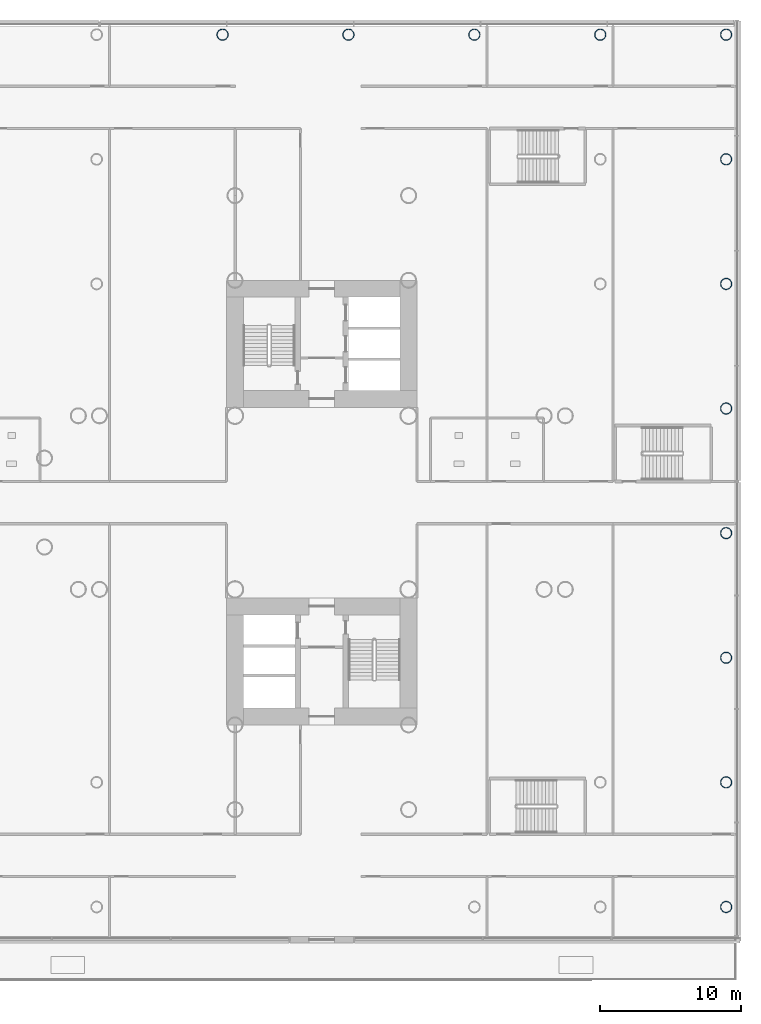
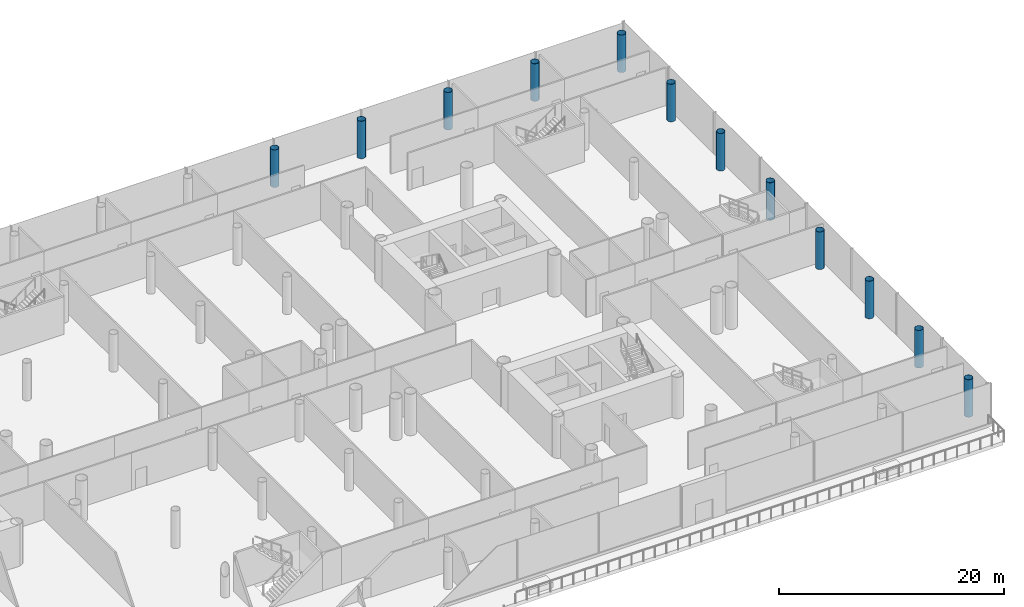
# One storey, part 4 of 49: 12 columns.
"""IFC4 building model written with IfcOpenShell, lengths in metres."""

from ifc_helpers import new_model, si_unit, direction, frame, origin, origin_2d, place, context, subcontext, project, spatial, hollow_circle, extrude, material, material_profile, profile_set, type_object, element, save


model = new_model("IFC4")

# Units and contexts
model_context = context("Model", 3, precision=1e-05, world=origin(), true_north=direction((0.0, 1.0)))
body_context = subcontext(model_context, "Body", "Model", "MODEL_VIEW")
ifc_project = project(units=[si_unit("LENGTHUNIT", "METRE"), si_unit("AREAUNIT", "SQUARE_METRE"), si_unit("VOLUMEUNIT", "CUBIC_METRE"), si_unit("PLANEANGLEUNIT", "RADIAN"), si_unit("MASSUNIT", "GRAM", prefix="KILO")], contexts=[model_context])

# Site, building, storey
site_placement = place(None, origin())
site = spatial("IfcSite", under=ifc_project, at=site_placement, CompositionType="ELEMENT")
building_placement = place(site_placement, origin())
building = spatial("IfcBuilding", under=site, at=building_placement, Name="Ipe Terrace Towers", CompositionType="ELEMENT")
storey_placement = place(building_placement, frame((0.0, 0.0, 20.0)))
storey = spatial("IfcBuildingStorey", under=building, at=storey_placement, Name="L04", CompositionType="ELEMENT", Elevation=20.0)

# Columns
ifc_material = material(Name="Steel S355 tube with Concrete C60/75 fill", Category="concrete")
ifc_material_profile = material_profile(ifc_material, hollow_circle(Radius=0.39990234375, WallThickness=0.028076171875, at=origin_2d()), Name="CHS-800x28")
ifc_profile_set = profile_set([ifc_material_profile], Name="Steel S355 tube with Concrete C60/75 fill")
column_type = type_object("IfcColumnType", Name="CH09 PODIUM COLUMN CHS-800x28", PredefinedType="COLUMN", material=ifc_profile_set)
for number, where, z_axis, x_axis, name in (
    (1, (64.64990234375, -28.64990234375, 0.0), (0.0, 0.0, 1.0), (1.0, 0.0, 0.0), "Column PD-C-D16"),
    (2, (64.64990234375, -19.821044921875, 0.0), (0.0, 0.0, 1.0), (1.0, 0.0, 0.0), "Column PD-C-E16"),
    (3, (64.64990234375, -10.992919921875, 0.0), (0.0, 0.0, 1.0), (1.0, 0.0, 0.0), "Column PD-C-F16"),
    (4, (64.64990234375, -2.1640625, 0.0), (0.0, 0.0, 1.0), (1.0, 0.0, 0.0), "Column PD-C-G16"),
    (5, (64.64990234375, 6.6640625, 0.0), (0.0, 0.0, 1.0), (1.0, 0.0, 0.0), "Column PD-C-H16"),
    (6, (64.64990234375, 15.492919921875, 0.0), (0.0, 0.0, 1.0), (1.0, 0.0, 0.0), "Column PD-C-I16"),
    (7, (64.64990234375, 24.321044921875, 0.0), (0.0, 0.0, 1.0), (1.0, 0.0, 0.0), "Column PD-C-J16"),
    (8, (28.969970703125, 33.14990234375, 0.0), (0.0, 0.0, 1.0), (1.0, 0.0, 0.0), "Column PD-C-K12"),
    (9, (37.889892578125, 33.14990234375, 0.0), (0.0, 0.0, 1.0), (1.0, 0.0, 0.0), "Column PD-C-K13"),
    (10, (46.81005859375, 33.14990234375, 0.0), (0.0, 0.0, 1.0), (1.0, 0.0, 0.0), "Column PD-C-K14"),
    (11, (55.72998046875, 33.14990234375, 0.0), (0.0, 0.0, 1.0), (1.0, 0.0, 0.0), "Column PD-C-K15"),
    (12, (64.64990234375, 33.14990234375, 0.0), (0.0, 0.0, 1.0), (1.0, 0.0, 0.0), "Column PD-C-K16"),
):
    element("IfcColumn", number, at=place(storey_placement, frame(where, z_axis=z_axis, x_axis=x_axis)), inside=storey, type_object=column_type, Name=name, PredefinedType="COLUMN", context=body_context, shape_type="SweptSolid", body=[
        extrude(hollow_circle(Radius=0.39990234375, WallThickness=0.028076171875, at=origin_2d()), origin(), (0.0, 0.0, 1.0), 4.080078125),
    ])

save(model, "model.ifc")
